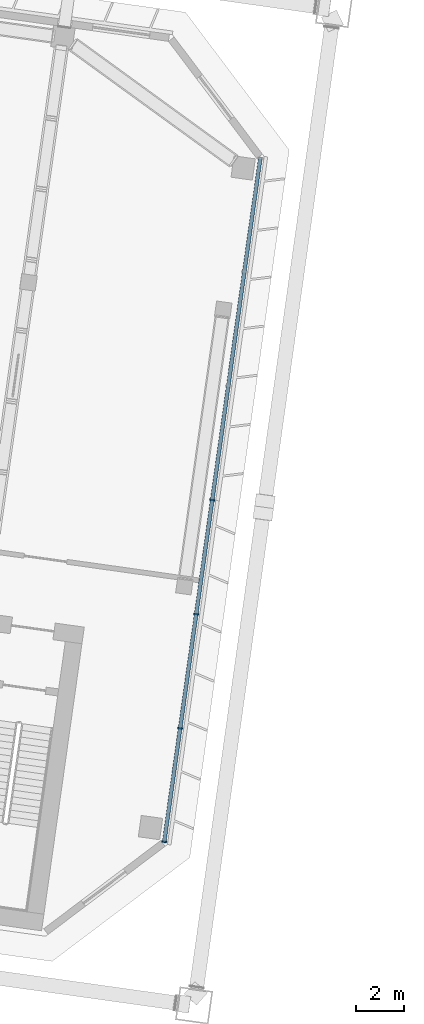
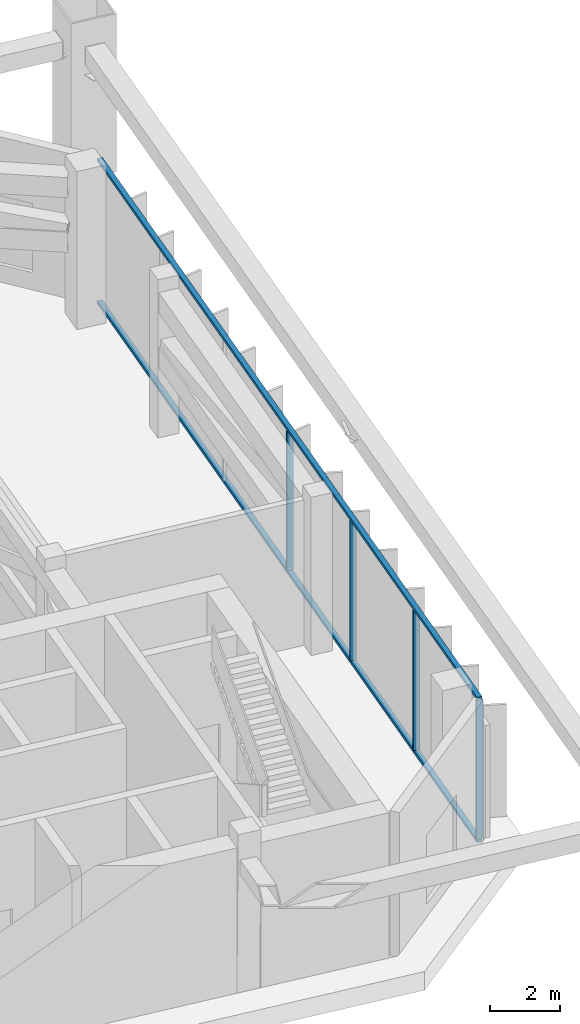
# One storey, part 7 of 41: 6 members, 1 element without a shape of its own.
"""IFC4 building model written with IfcOpenShell, lengths in metres."""

from ifc_helpers import new_model, si_unit, direction, frame, origin, origin_2d, place, context, subcontext, project, spatial, rectangle, extrude, material, material_profile, profile_set, type_object, element, aggregate, save


model = new_model("IFC4")

# Units and contexts
model_context = context("Model", 3, precision=1e-05, world=origin(), true_north=direction((0.0, 1.0)))
body_context = subcontext(model_context, "Body", "Model", "MODEL_VIEW")
ifc_project = project(units=[si_unit("LENGTHUNIT", "METRE"), si_unit("AREAUNIT", "SQUARE_METRE"), si_unit("VOLUMEUNIT", "CUBIC_METRE"), si_unit("PLANEANGLEUNIT", "RADIAN"), si_unit("MASSUNIT", "GRAM", prefix="KILO")], contexts=[model_context])

# Site, building, storey
site_placement = place(None, origin())
site = spatial("IfcSite", under=ifc_project, at=site_placement, CompositionType="ELEMENT")
building_placement = place(site_placement, origin())
building = spatial("IfcBuilding", under=site, at=building_placement, Name="Mirante Cascada Hotel Towers", CompositionType="ELEMENT")
storey_placement = place(building_placement, frame((0.0, 0.0, 151.9)))
storey = spatial("IfcBuildingStorey", under=building, at=storey_placement, Name="L35", CompositionType="ELEMENT", Elevation=151.9)

# Curtain wall, members
ifc_material_1 = material(Name="Aluminium mullion and transom frame with clear laminated glass", Category="aluminium")
curtain_wall_type = type_object("IfcCurtainWallType", Name="End ribbon curtain wall ECW2", PredefinedType="NOTDEFINED", material=ifc_material_1)
curtain_wall_placement = place(storey_placement, origin())
curtain_wall = element("IfcCurtainWall", 1, at=curtain_wall_placement, inside=storey, type_object=curtain_wall_type, Name="Inner end wall T1 L35", PredefinedType="NOTDEFINED")
ifc_material_2 = material(Name="Anodised aluminium extrusion", Category="aluminium")
ifc_material_profile_1 = material_profile(ifc_material_2, rectangle(XDim=0.2, YDim=0.065, at=origin_2d()), Name="ECW2 MULLION 65x200")
ifc_profile_set_1 = profile_set([ifc_material_profile_1], Name="Anodised aluminium extrusion")
member_type_1 = type_object("IfcMemberType", Name="ECW2 mullion 65x200", PredefinedType="MULLION", material=ifc_profile_set_1)
member_1_placement = place(storey_placement, frame((-30.1485, -1.9791, 0.1), z_axis=(0.0, 0.0, 1.0), x_axis=(0.9902681, -0.1391731, 0.0)))
member_1 = element("IfcMember", 2, at=member_1_placement, type_object=member_type_1, Name="ECW2 mullion 4", PredefinedType="MULLION", context=body_context, shape_type="SweptSolid", body=[
    extrude(rectangle(XDim=0.2, YDim=0.065, at=origin_2d()), origin(), (0.0, 0.0, 1.0), 4.85),
])
member_2_placement = place(storey_placement, frame((-30.8183, -6.7449, 0.1), z_axis=(0.0, 0.0, 1.0), x_axis=(0.9902681, -0.1391731, 0.0)))
member_2 = element("IfcMember", 3, at=member_2_placement, type_object=member_type_1, Name="ECW2 mullion 5", PredefinedType="MULLION", context=body_context, shape_type="SweptSolid", body=[
    extrude(rectangle(XDim=0.2, YDim=0.065, at=origin_2d()), origin(), (0.0, 0.0, 1.0), 4.85),
])
member_3_placement = place(storey_placement, frame((-31.4881, -11.5107, 0.1), z_axis=(0.0, 0.0, 1.0), x_axis=(0.9902681, -0.1391731, 0.0)))
member_3 = element("IfcMember", 4, at=member_3_placement, type_object=member_type_1, Name="ECW2 mullion 6", PredefinedType="MULLION", context=body_context, shape_type="SweptSolid", body=[
    extrude(rectangle(XDim=0.2, YDim=0.065, at=origin_2d()), origin(), (0.0, 0.0, 1.0), 4.85),
])
member_4_placement = place(storey_placement, frame((-32.1534, -16.2443, 0.1), z_axis=(0.0, 0.0, 1.0), x_axis=(0.9902681, -0.1391731, 0.0)))
member_4 = element("IfcMember", 5, at=member_4_placement, type_object=member_type_1, Name="ECW2 mullion 7", PredefinedType="MULLION", context=body_context, shape_type="SweptSolid", body=[
    extrude(rectangle(XDim=0.2, YDim=0.065, at=origin_2d()), origin(), (0.0, 0.0, 1.0), 4.85),
])
ifc_material_3 = material(Name="Anodised aluminium extrusion", Category="aluminium")
ifc_material_profile_2 = material_profile(ifc_material_3, rectangle(XDim=0.16, YDim=0.1, at=origin_2d()), Name="ECW2 TRANSOM 100x160")
ifc_profile_set_2 = profile_set([ifc_material_profile_2], Name="Anodised aluminium extrusion")
member_type_2 = type_object("IfcMemberType", Name="ECW2 transom 100x160", PredefinedType="USERDEFINED", material=ifc_profile_set_2)
member_5_placement = place(storey_placement, frame((-28.1392, 12.3182, 0.05), z_axis=(-0.1391723, -0.9902682, 0.0), x_axis=(0.9902682, -0.1391723, 0.0)))
member_5 = element("IfcMember", 6, at=member_5_placement, type_object=member_type_2, Name="ECW2 sill transom", ObjectType="TRANSOM", PredefinedType="USERDEFINED", context=body_context, shape_type="SweptSolid", body=[
    extrude(rectangle(XDim=0.16, YDim=0.1, at=origin_2d()), origin(), (0.0, 0.0, 1.0), 28.8757),
])
member_6_placement = place(storey_placement, frame((-28.1392, 12.3182, 5.0), z_axis=(-0.1391723, -0.9902682, 0.0), x_axis=(0.9902682, -0.1391723, 0.0)))
member_6 = element("IfcMember", 7, at=member_6_placement, type_object=member_type_2, Name="ECW2 head transom", ObjectType="TRANSOM", PredefinedType="USERDEFINED", context=body_context, shape_type="SweptSolid", body=[
    extrude(rectangle(XDim=0.16, YDim=0.1, at=origin_2d()), origin(), (0.0, 0.0, 1.0), 28.8757),
])
aggregate(curtain_wall, [member_5, member_6, member_1, member_2, member_3, member_4])

save(model, "model.ifc")
